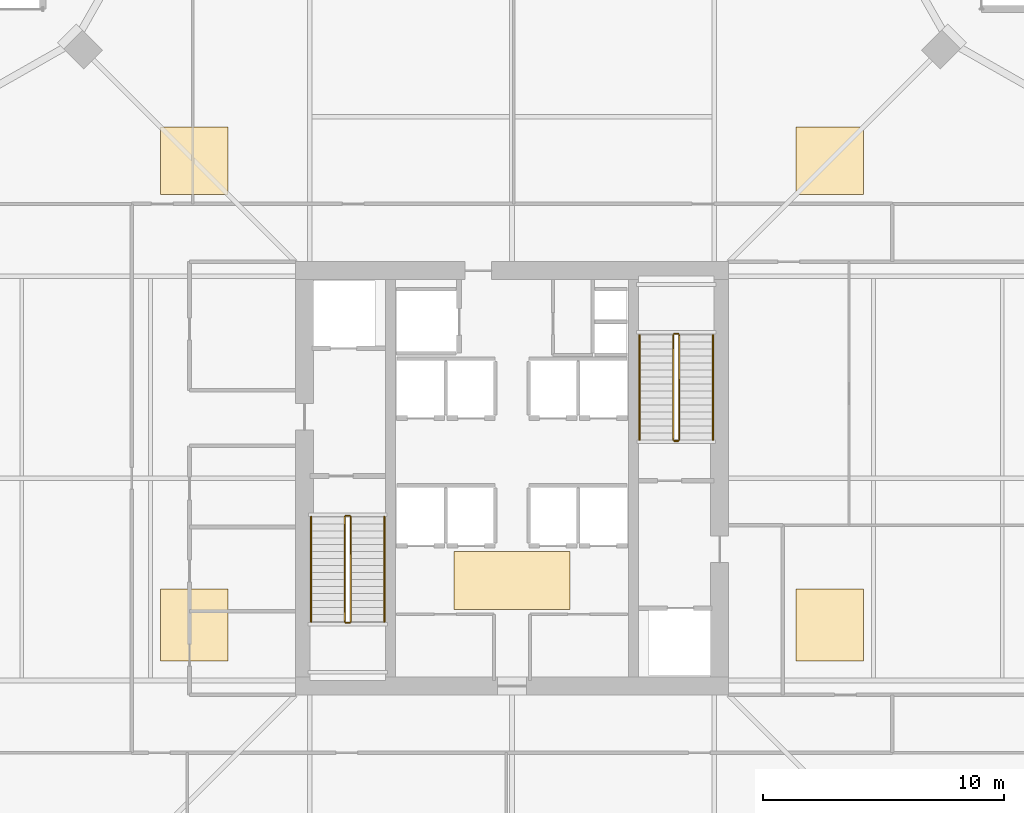
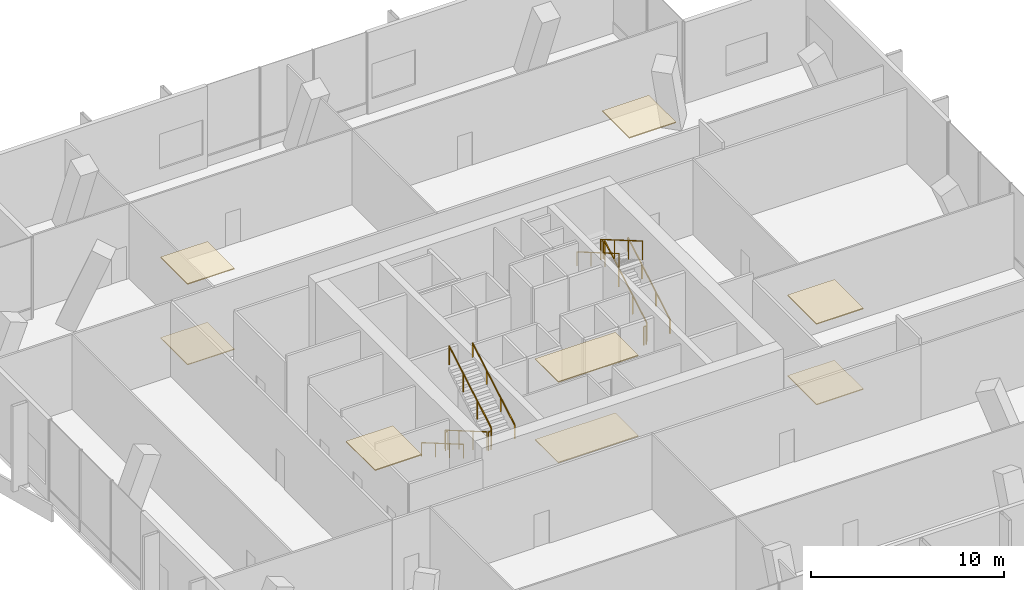
# One storey, part 33 of 33: 12 railings, 8 coverings.
"""IFC4 building model written with IfcOpenShell, lengths in metres."""

from ifc_helpers import new_model, si_unit, direction, frame, origin, origin_2d, place, context, subcontext, project, spatial, polyline, rectangle, outline, extrude, material, layer, layer_set, type_object, element, save


model = new_model("IFC4")

# Units and contexts
model_context = context("Model", 3, precision=1e-05, world=origin(), true_north=direction((0.0, 1.0)))
body_context = subcontext(model_context, "Body", "Model", "MODEL_VIEW")
ifc_project = project(units=[si_unit("LENGTHUNIT", "METRE"), si_unit("AREAUNIT", "SQUARE_METRE"), si_unit("VOLUMEUNIT", "CUBIC_METRE"), si_unit("PLANEANGLEUNIT", "RADIAN"), si_unit("MASSUNIT", "GRAM", prefix="KILO")], contexts=[model_context])

# Site, building, storey
site_placement = place(None, origin())
site = spatial("IfcSite", under=ifc_project, at=site_placement, CompositionType="ELEMENT")
building_placement = place(site_placement, origin())
building = spatial("IfcBuilding", under=site, at=building_placement, Name="Belovzor Exchange Tower", CompositionType="ELEMENT")
storey_placement = place(building_placement, frame((0.0, 0.0, 241.199951171875)))
storey = spatial("IfcBuildingStorey", under=building, at=storey_placement, Name="L60", CompositionType="ELEMENT", Elevation=241.199951171875)

# Railings
ifc_material_1 = material(Name="Stainless Steel Grade 304", Category="steel")
railing_type_1 = type_object("IfcRailingType", Name="Brushed Stainless Steel Stair Handrail 900", PredefinedType="HANDRAIL", material=ifc_material_1)
railing_1_placement = place(storey_placement, frame((20.449951171875, 27.199951171875, 0.168701171875)))
element("IfcRailing", 1, at=railing_1_placement, inside=storey, type_object=railing_type_1, Name="L60 ST-1 stair handrail 1", PredefinedType="HANDRAIL", context=body_context, shape_type="SweptSolid", body=[
    extrude(rectangle(XDim=0.048095703125, YDim=0.048095703125, at=origin_2d()), frame((0.0, 0.0, 0.8759765625), z_axis=(0.0, -0.864311530196, 0.502956835891), x_axis=(1.0, 0.0, 0.0)), (0.0, 0.0, 1.0), 5.03271484375),
    extrude(rectangle(XDim=0.0419921875, YDim=0.0419921875, at=origin_2d()), origin(), (0.0, 0.0, 1.0), 0.851806640625),
    extrude(rectangle(XDim=0.0419921875, YDim=0.0419921875, at=origin_2d()), frame((0.0, -1.449951171875, 0.84375)), (0.0, 0.0, 1.0), 0.851806640625),
    extrude(rectangle(XDim=0.0419921875, YDim=0.0419921875, at=origin_2d()), frame((0.0, -2.89990234375, 1.6875)), (0.0, 0.0, 1.0), 0.851806640625),
    extrude(rectangle(XDim=0.0419921875, YDim=0.0419921875, at=origin_2d()), frame((0.0, -4.349853515625, 2.53125)), (0.0, 0.0, 1.0), 0.851806640625),
])
railing_2_placement = place(storey_placement, frame((23.5, 22.85009765625, 2.868896484375)))
element("IfcRailing", 2, at=railing_2_placement, inside=storey, type_object=railing_type_1, Name="L60 ST-1 stair handrail 2", PredefinedType="HANDRAIL", context=body_context, shape_type="SweptSolid", body=[
    extrude(rectangle(XDim=0.048095703125, YDim=0.048095703125, at=origin_2d()), frame((0.0, 0.0, 0.8759765625), z_axis=(0.0, 0.864311530196, 0.502956835891), x_axis=(-1.0, 0.0, 0.0)), (0.0, 0.0, 1.0), 5.03271484375),
    extrude(rectangle(XDim=0.0419921875, YDim=0.0419921875, at=origin_2d()), origin(), (0.0, 0.0, 1.0), 0.851806640625),
    extrude(rectangle(XDim=0.0419921875, YDim=0.0419921875, at=origin_2d()), frame((0.0, 1.449951171875, 0.84375)), (0.0, 0.0, 1.0), 0.851806640625),
    extrude(rectangle(XDim=0.0419921875, YDim=0.0419921875, at=origin_2d()), frame((0.0, 2.89990234375, 1.6875)), (0.0, 0.0, 1.0), 0.851806640625),
    extrude(rectangle(XDim=0.0419921875, YDim=0.0419921875, at=origin_2d()), frame((0.0, 4.349853515625, 2.53125)), (0.0, 0.0, 1.0), 0.851806640625),
])
railing_3_placement = place(storey_placement, frame((37.14990234375, 30.39990234375, 0.168701171875)))
element("IfcRailing", 3, at=railing_3_placement, inside=storey, type_object=railing_type_1, Name="L60 ST-2 stair handrail 1", PredefinedType="HANDRAIL", context=body_context, shape_type="SweptSolid", body=[
    extrude(rectangle(XDim=0.048095703125, YDim=0.048095703125, at=origin_2d()), frame((0.0, 0.0, 0.8759765625), z_axis=(0.0, 0.864323800911, 0.50293574856), x_axis=(-1.0, 0.0, 0.0)), (0.0, 0.0, 1.0), 5.032958984375),
    extrude(rectangle(XDim=0.0419921875, YDim=0.0419921875, at=origin_2d()), origin(), (0.0, 0.0, 1.0), 0.851806640625),
    extrude(rectangle(XDim=0.0419921875, YDim=0.0419921875, at=origin_2d()), frame((0.0, 1.449951171875, 0.84375)), (0.0, 0.0, 1.0), 0.851806640625),
    extrude(rectangle(XDim=0.0419921875, YDim=0.0419921875, at=origin_2d()), frame((0.0, 2.900146484375, 1.6875)), (0.0, 0.0, 1.0), 0.851806640625),
    extrude(rectangle(XDim=0.0419921875, YDim=0.0419921875, at=origin_2d()), frame((0.0, 4.35009765625, 2.53125)), (0.0, 0.0, 1.0), 0.851806640625),
])
railing_4_placement = place(storey_placement, frame((34.10009765625, 34.75, 2.868896484375)))
element("IfcRailing", 4, at=railing_4_placement, inside=storey, type_object=railing_type_1, Name="L60 ST-2 stair handrail 2", PredefinedType="HANDRAIL", context=body_context, shape_type="SweptSolid", body=[
    extrude(rectangle(XDim=0.048095703125, YDim=0.048095703125, at=origin_2d()), frame((0.0, 0.0, 0.8759765625), z_axis=(0.0, -0.864323800911, 0.50293574856), x_axis=(1.0, 0.0, 0.0)), (0.0, 0.0, 1.0), 5.032958984375),
    extrude(rectangle(XDim=0.0419921875, YDim=0.0419921875, at=origin_2d()), origin(), (0.0, 0.0, 1.0), 0.851806640625),
    extrude(rectangle(XDim=0.0419921875, YDim=0.0419921875, at=origin_2d()), frame((0.0, -1.449951171875, 0.84375)), (0.0, 0.0, 1.0), 0.851806640625),
    extrude(rectangle(XDim=0.0419921875, YDim=0.0419921875, at=origin_2d()), frame((0.0, -2.900146484375, 1.6875)), (0.0, 0.0, 1.0), 0.851806640625),
    extrude(rectangle(XDim=0.0419921875, YDim=0.0419921875, at=origin_2d()), frame((0.0, -4.35009765625, 2.53125)), (0.0, 0.0, 1.0), 0.851806640625),
])
ifc_material_2 = material(Name="Steel S355", Category="steel")
railing_type_2 = type_object("IfcRailingType", Name="Painted Steel Stairwell Guardrail 1200", PredefinedType="GUARDRAIL", material=ifc_material_2)
railing_5_placement = place(storey_placement, frame((21.85009765625, 27.199951171875, 0.168701171875)))
element("IfcRailing", 5, at=railing_5_placement, inside=storey, type_object=railing_type_2, Name="L60 ST-1 stair guard 1", PredefinedType="GUARDRAIL", context=body_context, shape_type="SweptSolid", body=[
    extrude(rectangle(XDim=0.048095703125, YDim=0.048095703125, at=origin_2d()), frame((0.0, 0.0, 1.17578125), z_axis=(0.0, -0.864311530196, 0.502956835891), x_axis=(1.0, 0.0, 0.0)), (0.0, 0.0, 1.0), 5.03271484375),
    extrude(rectangle(XDim=0.0419921875, YDim=0.0419921875, at=origin_2d()), origin(), (0.0, 0.0, 1.0), 1.15185546875),
    extrude(rectangle(XDim=0.0419921875, YDim=0.0419921875, at=origin_2d()), frame((0.0, -1.449951171875, 0.84375)), (0.0, 0.0, 1.0), 1.15185546875),
    extrude(rectangle(XDim=0.0419921875, YDim=0.0419921875, at=origin_2d()), frame((0.0, -2.89990234375, 1.6875)), (0.0, 0.0, 1.0), 1.15185546875),
    extrude(rectangle(XDim=0.0419921875, YDim=0.0419921875, at=origin_2d()), frame((0.0, -4.349853515625, 2.53125)), (0.0, 0.0, 1.0), 1.15185546875),
])
railing_6_placement = place(storey_placement, frame((21.89990234375, 22.800048828125, 2.699951171875)))
element("IfcRailing", 6, at=railing_6_placement, inside=storey, type_object=railing_type_2, Name="L60 ST-1 stair guard 2", PredefinedType="GUARDRAIL", context=body_context, shape_type="SweptSolid", body=[
    extrude(rectangle(XDim=0.048095703125, YDim=0.048095703125, at=origin_2d()), frame((0.0, 0.0, 1.17578125), z_axis=(1.0, 0.0, 0.0), x_axis=(0.0, 1.0, 0.0)), (0.0, 0.0, 1.0), 0.150146484375),
    extrude(rectangle(XDim=0.0419921875, YDim=0.0419921875, at=origin_2d()), origin(), (0.0, 0.0, 1.0), 1.15185546875),
    extrude(rectangle(XDim=0.0419921875, YDim=0.0419921875, at=origin_2d()), frame((0.150146484375, 0.0, 0.0)), (0.0, 0.0, 1.0), 1.15185546875),
])
railing_7_placement = place(storey_placement, frame((22.10009765625, 22.85009765625, 2.868896484375)))
element("IfcRailing", 7, at=railing_7_placement, inside=storey, type_object=railing_type_2, Name="L60 ST-1 stair guard 3", PredefinedType="GUARDRAIL", context=body_context, shape_type="SweptSolid", body=[
    extrude(rectangle(XDim=0.048095703125, YDim=0.048095703125, at=origin_2d()), frame((0.0, 0.0, 1.17578125), z_axis=(0.0, 0.864311530196, 0.502956835891), x_axis=(-1.0, 0.0, 0.0)), (0.0, 0.0, 1.0), 5.03271484375),
    extrude(rectangle(XDim=0.0419921875, YDim=0.0419921875, at=origin_2d()), origin(), (0.0, 0.0, 1.0), 1.15185546875),
    extrude(rectangle(XDim=0.0419921875, YDim=0.0419921875, at=origin_2d()), frame((0.0, 1.449951171875, 0.84375)), (0.0, 0.0, 1.0), 1.15185546875),
    extrude(rectangle(XDim=0.0419921875, YDim=0.0419921875, at=origin_2d()), frame((0.0, 2.89990234375, 1.6875)), (0.0, 0.0, 1.0), 1.15185546875),
    extrude(rectangle(XDim=0.0419921875, YDim=0.0419921875, at=origin_2d()), frame((0.0, 4.349853515625, 2.53125)), (0.0, 0.0, 1.0), 1.15185546875),
])
railing_8_placement = place(storey_placement, frame((21.89990234375, 27.25, 0.0)))
element("IfcRailing", 8, at=railing_8_placement, inside=storey, type_object=railing_type_2, Name="L60 ST-1 stair guard 4", PredefinedType="GUARDRAIL", context=body_context, shape_type="SweptSolid", body=[
    extrude(rectangle(XDim=0.048095703125, YDim=0.048095703125, at=origin_2d()), frame((0.0, 0.0, 1.17578125), z_axis=(1.0, 0.0, 0.0), x_axis=(0.0, 1.0, 0.0)), (0.0, 0.0, 1.0), 0.150146484375),
    extrude(rectangle(XDim=0.0419921875, YDim=0.0419921875, at=origin_2d()), origin(), (0.0, 0.0, 1.0), 1.15185546875),
    extrude(rectangle(XDim=0.0419921875, YDim=0.0419921875, at=origin_2d()), frame((0.150146484375, 0.0, 0.0)), (0.0, 0.0, 1.0), 1.15185546875),
])
railing_9_placement = place(storey_placement, frame((35.75, 30.39990234375, 0.168701171875)))
element("IfcRailing", 9, at=railing_9_placement, inside=storey, type_object=railing_type_2, Name="L60 ST-2 stair guard 1", PredefinedType="GUARDRAIL", context=body_context, shape_type="SweptSolid", body=[
    extrude(rectangle(XDim=0.048095703125, YDim=0.048095703125, at=origin_2d()), frame((0.0, 0.0, 1.17578125), z_axis=(0.0, 0.864323800911, 0.50293574856), x_axis=(-1.0, 0.0, 0.0)), (0.0, 0.0, 1.0), 5.032958984375),
    extrude(rectangle(XDim=0.0419921875, YDim=0.0419921875, at=origin_2d()), origin(), (0.0, 0.0, 1.0), 1.15185546875),
    extrude(rectangle(XDim=0.0419921875, YDim=0.0419921875, at=origin_2d()), frame((0.0, 1.449951171875, 0.84375)), (0.0, 0.0, 1.0), 1.15185546875),
    extrude(rectangle(XDim=0.0419921875, YDim=0.0419921875, at=origin_2d()), frame((0.0, 2.900146484375, 1.6875)), (0.0, 0.0, 1.0), 1.15185546875),
    extrude(rectangle(XDim=0.0419921875, YDim=0.0419921875, at=origin_2d()), frame((0.0, 4.35009765625, 2.53125)), (0.0, 0.0, 1.0), 1.15185546875),
])
railing_10_placement = place(storey_placement, frame((35.699951171875, 34.800048828125, 2.699951171875)))
element("IfcRailing", 10, at=railing_10_placement, inside=storey, type_object=railing_type_2, Name="L60 ST-2 stair guard 2", PredefinedType="GUARDRAIL", context=body_context, shape_type="SweptSolid", body=[
    extrude(rectangle(XDim=0.048095703125, YDim=0.048095703125, at=origin_2d()), frame((0.0, 0.0, 1.17578125), z_axis=(-1.0, 0.0, 0.0), x_axis=(0.0, -1.0, 0.0)), (0.0, 0.0, 1.0), 0.14990234375),
    extrude(rectangle(XDim=0.0419921875, YDim=0.0419921875, at=origin_2d()), origin(), (0.0, 0.0, 1.0), 1.15185546875),
    extrude(rectangle(XDim=0.0419921875, YDim=0.0419921875, at=origin_2d()), frame((-0.14990234375, 0.0, 0.0)), (0.0, 0.0, 1.0), 1.15185546875),
])
railing_11_placement = place(storey_placement, frame((35.5, 34.75, 2.868896484375)))
element("IfcRailing", 11, at=railing_11_placement, inside=storey, type_object=railing_type_2, Name="L60 ST-2 stair guard 3", PredefinedType="GUARDRAIL", context=body_context, shape_type="SweptSolid", body=[
    extrude(rectangle(XDim=0.048095703125, YDim=0.048095703125, at=origin_2d()), frame((0.0, 0.0, 1.17578125), z_axis=(0.0, -0.864323800911, 0.50293574856), x_axis=(1.0, 0.0, 0.0)), (0.0, 0.0, 1.0), 5.032958984375),
    extrude(rectangle(XDim=0.0419921875, YDim=0.0419921875, at=origin_2d()), origin(), (0.0, 0.0, 1.0), 1.15185546875),
    extrude(rectangle(XDim=0.0419921875, YDim=0.0419921875, at=origin_2d()), frame((0.0, -1.449951171875, 0.84375)), (0.0, 0.0, 1.0), 1.15185546875),
    extrude(rectangle(XDim=0.0419921875, YDim=0.0419921875, at=origin_2d()), frame((0.0, -2.900146484375, 1.6875)), (0.0, 0.0, 1.0), 1.15185546875),
    extrude(rectangle(XDim=0.0419921875, YDim=0.0419921875, at=origin_2d()), frame((0.0, -4.35009765625, 2.53125)), (0.0, 0.0, 1.0), 1.15185546875),
])
railing_12_placement = place(storey_placement, frame((35.699951171875, 30.35009765625, 0.0)))
element("IfcRailing", 12, at=railing_12_placement, inside=storey, type_object=railing_type_2, Name="L60 ST-2 stair guard 4", PredefinedType="GUARDRAIL", context=body_context, shape_type="SweptSolid", body=[
    extrude(rectangle(XDim=0.048095703125, YDim=0.048095703125, at=origin_2d()), frame((0.0, 0.0, 1.17578125), z_axis=(-1.0, 0.0, 0.0), x_axis=(0.0, -1.0, 0.0)), (0.0, 0.0, 1.0), 0.14990234375),
    extrude(rectangle(XDim=0.0419921875, YDim=0.0419921875, at=origin_2d()), origin(), (0.0, 0.0, 1.0), 1.15185546875),
    extrude(rectangle(XDim=0.0419921875, YDim=0.0419921875, at=origin_2d()), frame((-0.14990234375, 0.0, 0.0)), (0.0, 0.0, 1.0), 1.15185546875),
])

# Coverings
ifc_material_3 = material(Name="Perforated Powder-Coated Aluminium", Category="aluminium")
ifc_layer_1 = layer(ifc_material_3, 0.06005859375)
ifc_layer_set_1 = layer_set([ifc_layer_1], Name="Perforated Powder-Coated Aluminium")
covering_type_1 = type_object("IfcCoveringType", Name="Perforated Acoustic Metal Tile Suspended Ceiling 60", PredefinedType="CEILING", material=ifc_layer_set_1)
covering_1_placement = place(storey_placement, frame((0.0, 0.0, 5.090087890625)))
element("IfcCovering", 13, at=covering_1_placement, inside=storey, type_object=covering_type_1, Name="CLG-AC60 Suspended Ceiling CLG-L60-LOB", PredefinedType="CEILING", context=body_context, shape_type="SweptSolid", body=[
    extrude(outline(polyline([(26.39990234375, 23.35009765625), (31.199951171875, 23.35009765625), (31.199951171875, 25.75), (26.39990234375, 25.75), (26.39990234375, 23.35009765625)])), origin(), (0.0, 0.0, 1.0), 0.06005859375),
])
covering_2_placement = place(storey_placement, frame((0.0, 0.0, 5.090087890625)))
element("IfcCovering", 14, at=covering_2_placement, inside=storey, type_object=covering_type_1, Name="CLG-AC60 Suspended Ceiling CLG-L60-Z0", PredefinedType="CEILING", context=body_context, shape_type="SweptSolid", body=[
    extrude(outline(polyline([(40.60009765625, 21.199951171875), (43.39990234375, 21.199951171875), (43.39990234375, 24.199951171875), (40.60009765625, 24.199951171875), (40.60009765625, 21.199951171875)])), origin(), (0.0, 0.0, 1.0), 0.06005859375),
])
covering_3_placement = place(storey_placement, frame((0.0, 0.0, 5.090087890625)))
element("IfcCovering", 15, at=covering_3_placement, inside=storey, type_object=covering_type_1, Name="CLG-AC60 Suspended Ceiling CLG-L60-Z1", PredefinedType="CEILING", context=body_context, shape_type="SweptSolid", body=[
    extrude(outline(polyline([(40.60009765625, 40.60009765625), (43.39990234375, 40.60009765625), (43.39990234375, 43.39990234375), (40.60009765625, 43.39990234375), (40.60009765625, 40.60009765625)])), origin(), (0.0, 0.0, 1.0), 0.06005859375),
])
covering_4_placement = place(storey_placement, frame((0.0, 0.0, 5.090087890625)))
element("IfcCovering", 16, at=covering_4_placement, inside=storey, type_object=covering_type_1, Name="CLG-AC60 Suspended Ceiling CLG-L60-Z2", PredefinedType="CEILING", context=body_context, shape_type="SweptSolid", body=[
    extrude(outline(polyline([(14.199951171875, 40.60009765625), (17.0, 40.60009765625), (17.0, 43.39990234375), (14.199951171875, 43.39990234375), (14.199951171875, 40.60009765625)])), origin(), (0.0, 0.0, 1.0), 0.06005859375),
])
covering_5_placement = place(storey_placement, frame((0.0, 0.0, 5.090087890625)))
element("IfcCovering", 17, at=covering_5_placement, inside=storey, type_object=covering_type_1, Name="CLG-AC60 Suspended Ceiling CLG-L60-Z3", PredefinedType="CEILING", context=body_context, shape_type="SweptSolid", body=[
    extrude(outline(polyline([(14.199951171875, 21.199951171875), (17.0, 21.199951171875), (17.0, 24.199951171875), (14.199951171875, 24.199951171875), (14.199951171875, 21.199951171875)])), origin(), (0.0, 0.0, 1.0), 0.06005859375),
])
ifc_material_4 = material(Name="Polished Natural Granite Tile", Category="masonry")
ifc_layer_2 = layer(ifc_material_4, 0.050048828125)
ifc_layer_set_2 = layer_set([ifc_layer_2], Name="Polished Natural Granite Tile")
covering_type_2 = type_object("IfcCoveringType", Name="Polished Karelian Granite & Raised Access Floor Finish 50", PredefinedType="FLOORING", material=ifc_layer_set_2)
covering_6_placement = place(storey_placement, origin())
element("IfcCovering", 18, at=covering_6_placement, inside=storey, type_object=covering_type_2, Name="FLR-GR50 Floor Finish FLR-L60-LOB", PredefinedType="FLOORING", context=body_context, shape_type="SweptSolid", body=[
    extrude(outline(polyline([(26.39990234375, 23.35009765625), (31.199951171875, 23.35009765625), (31.199951171875, 25.75), (26.39990234375, 25.75), (26.39990234375, 23.35009765625)])), origin(), (0.0, 0.0, 1.0), 0.050048828125),
])
covering_7_placement = place(storey_placement, origin())
element("IfcCovering", 19, at=covering_7_placement, inside=storey, type_object=covering_type_2, Name="FLR-GR50 Floor Finish FLR-L60-Z0", PredefinedType="FLOORING", context=body_context, shape_type="SweptSolid", body=[
    extrude(outline(polyline([(40.60009765625, 21.199951171875), (43.39990234375, 21.199951171875), (43.39990234375, 24.199951171875), (40.60009765625, 24.199951171875), (40.60009765625, 21.199951171875)])), origin(), (0.0, 0.0, 1.0), 0.050048828125),
])
covering_8_placement = place(storey_placement, origin())
element("IfcCovering", 20, at=covering_8_placement, inside=storey, type_object=covering_type_2, Name="FLR-GR50 Floor Finish FLR-L60-Z2", PredefinedType="FLOORING", context=body_context, shape_type="SweptSolid", body=[
    extrude(outline(polyline([(14.199951171875, 40.60009765625), (17.0, 40.60009765625), (17.0, 43.39990234375), (14.199951171875, 43.39990234375), (14.199951171875, 40.60009765625)])), origin(), (0.0, 0.0, 1.0), 0.050048828125),
])

save(model, "model.ifc")
